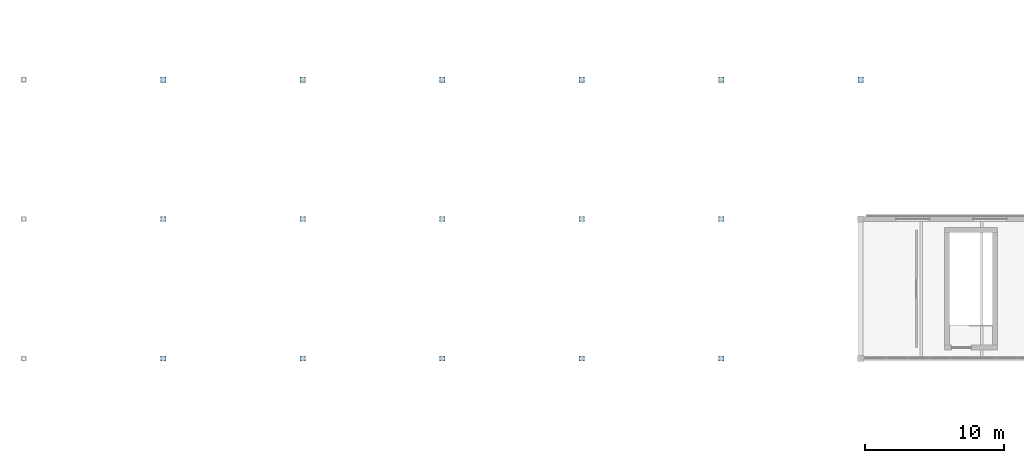
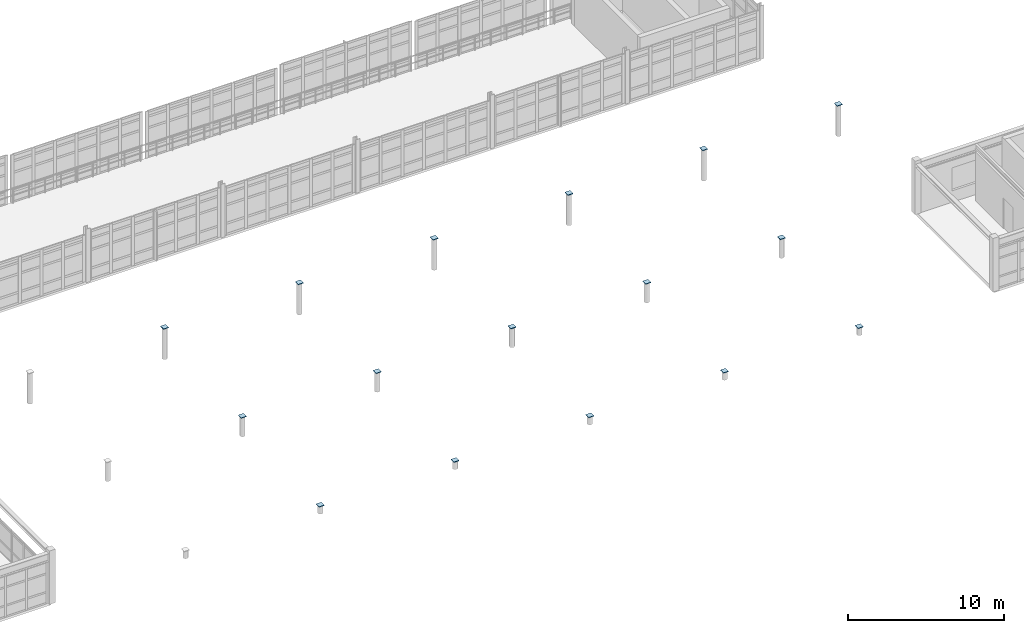
# One storey, part 100 of 122: 16 plates.
"""IFC4 building model written with IfcOpenShell, lengths in metres."""

from ifc_helpers import new_model, si_unit, direction, frame, origin, origin_2d, place, context, subcontext, project, spatial, rectangle, extrude, material, layer, layer_set, type_object, element, save


model = new_model("IFC4")

# Units and contexts
model_context = context("Model", 3, precision=1e-05, world=origin(), true_north=direction((0.0, 1.0)))
body_context = subcontext(model_context, "Body", "Model", "MODEL_VIEW")
ifc_project = project(units=[si_unit("LENGTHUNIT", "METRE"), si_unit("AREAUNIT", "SQUARE_METRE"), si_unit("VOLUMEUNIT", "CUBIC_METRE"), si_unit("PLANEANGLEUNIT", "RADIAN"), si_unit("MASSUNIT", "GRAM", prefix="KILO"), si_unit("THERMODYNAMICTEMPERATUREUNIT", "KELVIN"), si_unit("POWERUNIT", "WATT")], contexts=[model_context])

# Site, building, storey
site_placement = place(None, origin())
site = spatial("IfcSite", under=ifc_project, at=site_placement, CompositionType="ELEMENT")
building_placement = place(site_placement, origin())
building = spatial("IfcBuilding", under=site, at=building_placement, Name="Korenveer Ferry Terminal", CompositionType="ELEMENT")
storey_placement = place(building_placement, frame((0.0, 0.0, 10.199951171875)))
storey = spatial("IfcBuildingStorey", under=building, at=storey_placement, Name="L02", CompositionType="ELEMENT", Elevation=10.199951171875)

# Plates
ifc_material = material(Name="Steel S355", Category="steel")
ifc_layer = layer(ifc_material, 0.0419921875)
ifc_layer_set = layer_set([ifc_layer], Name="Steel S355")
plate_type = type_object("IfcPlateType", Name="STR-PLT-CAP42", PredefinedType="USERDEFINED", material=ifc_layer_set)
for number, where, z_axis, x_axis, name in (
    (1, (73.0, 20.0, 0.598388671875), (0.0, 0.0, 1.0), (1.0, 0.0, 0.0), "Hollow section end cap 215"),
    (2, (73.0, 30.0, 1.50634765625), (0.0, 0.0, 1.0), (1.0, 0.0, 0.0), "Hollow section end cap 216"),
    (3, (73.0, 40.0, 2.414306640625), (0.0, 0.0, 1.0), (1.0, 0.0, 0.0), "Hollow section end cap 217"),
    (4, (83.0, 20.0, 0.598388671875), (0.0, 0.0, 1.0), (1.0, 0.0, 0.0), "Hollow section end cap 219"),
    (5, (83.0, 30.0, 1.50634765625), (0.0, 0.0, 1.0), (1.0, 0.0, 0.0), "Hollow section end cap 220"),
    (6, (83.0, 40.0, 2.414306640625), (0.0, 0.0, 1.0), (1.0, 0.0, 0.0), "Hollow section end cap 221"),
    (7, (93.0, 20.0, 0.598388671875), (0.0, 0.0, 1.0), (1.0, 0.0, 0.0), "Hollow section end cap 223"),
    (8, (93.0, 30.0, 1.50634765625), (0.0, 0.0, 1.0), (1.0, 0.0, 0.0), "Hollow section end cap 224"),
    (9, (93.0, 40.0, 2.414306640625), (0.0, 0.0, 1.0), (1.0, 0.0, 0.0), "Hollow section end cap 225"),
    (10, (103.0, 20.0, 0.598388671875), (0.0, 0.0, 1.0), (1.0, 0.0, 0.0), "Hollow section end cap 227"),
    (11, (103.0, 30.0, 1.50634765625), (0.0, 0.0, 1.0), (1.0, 0.0, 0.0), "Hollow section end cap 228"),
    (12, (103.0, 40.0, 2.414306640625), (0.0, 0.0, 1.0), (1.0, 0.0, 0.0), "Hollow section end cap 229"),
    (13, (113.0, 20.0, 0.598388671875), (0.0, 0.0, 1.0), (1.0, 0.0, 0.0), "Hollow section end cap 231"),
    (14, (113.0, 30.0, 1.50634765625), (0.0, 0.0, 1.0), (1.0, 0.0, 0.0), "Hollow section end cap 232"),
    (15, (113.0, 40.0, 2.414306640625), (0.0, 0.0, 1.0), (1.0, 0.0, 0.0), "Hollow section end cap 233"),
    (16, (123.0, 40.0, 2.414306640625), (0.0, 0.0, 1.0), (1.0, 0.0, 0.0), "Hollow section end cap 235"),
):
    element("IfcPlate", number, at=place(storey_placement, frame(where, z_axis=z_axis, x_axis=x_axis)), inside=storey, type_object=plate_type, Name=name, ObjectType="END CAP PLATE", PredefinedType="USERDEFINED", context=body_context, shape_type="SweptSolid", body=[
        extrude(rectangle(XDim=0.385498046875, YDim=0.385498046875, at=origin_2d()), origin(), (0.0, 0.0, 1.0), 0.0419921875),
    ])

save(model, "model.ifc")
